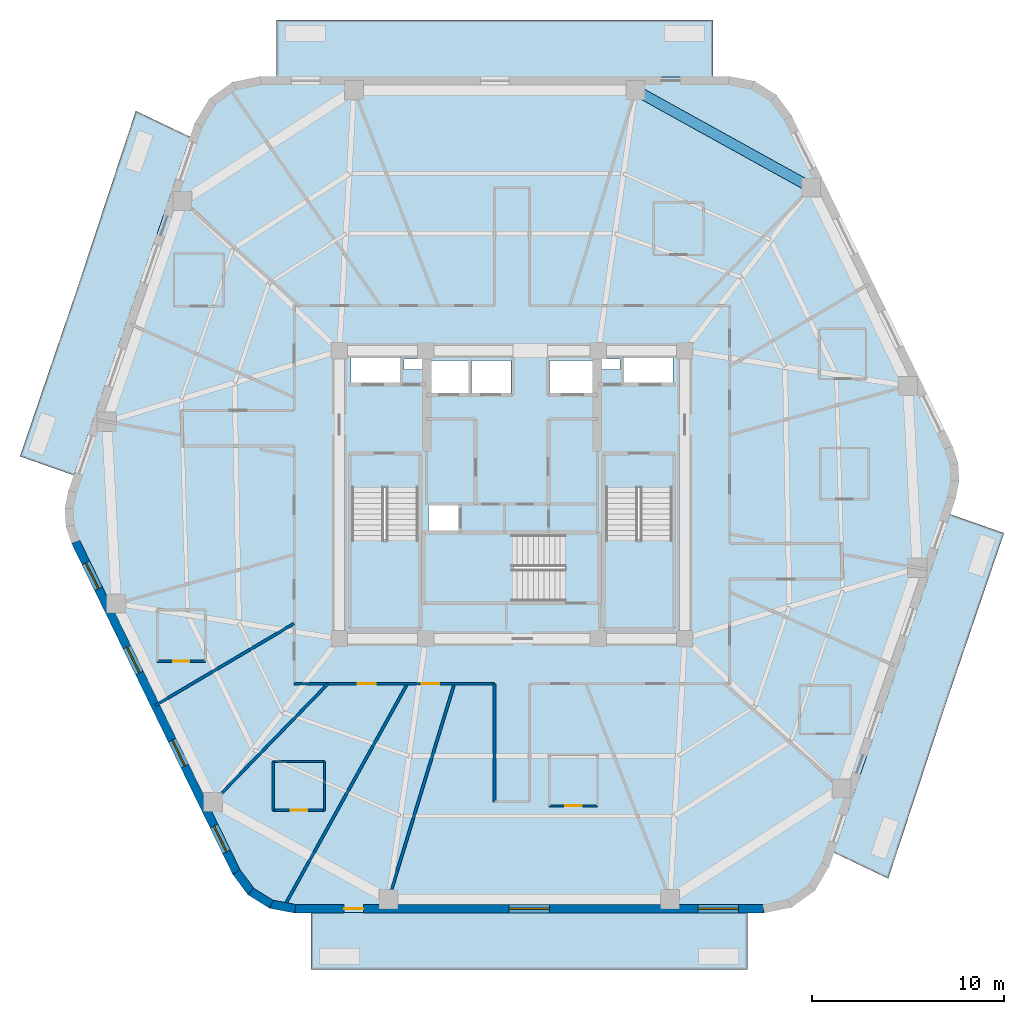
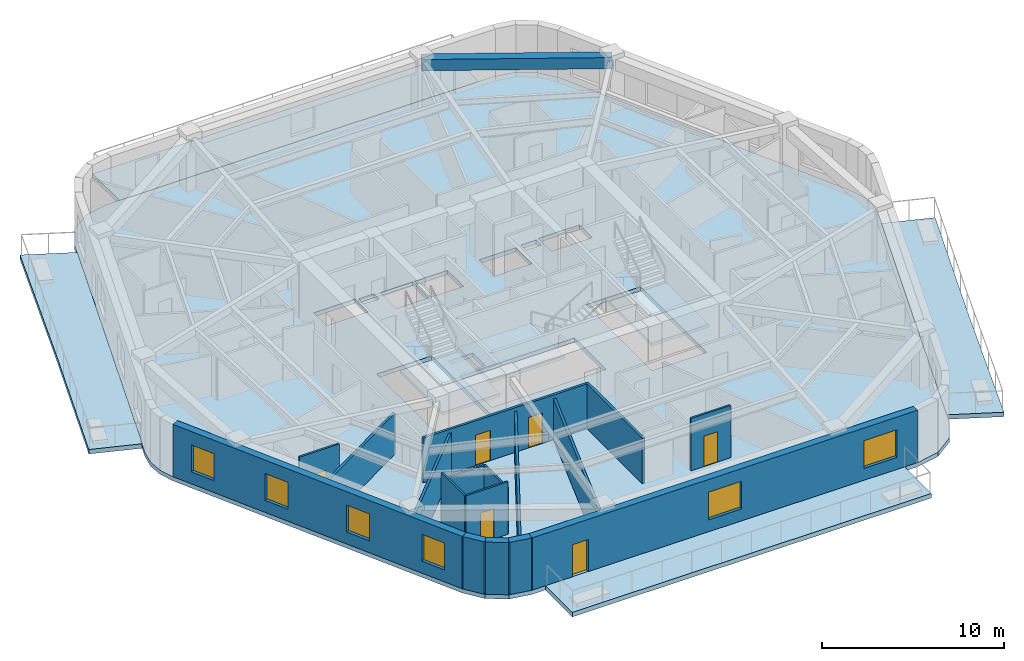
# One storey, part 2 of 9: 17 walls, 8 slabs, 6 doors, 6 windows, 1 beam, 12 openings, 3 elements without a shape of their own.
"""IFC4 building model written with IfcOpenShell, lengths in metres."""

import ifcopenshell
import ifcopenshell.guid

model = None  # the IFC model being written
_history = None  # IfcOwnerHistory: only IFC2X3 demands one
_inside = {}  # id of a spatial element -> (the spatial element, [elements in it])
_under = {}  # id of a project, library or spatial element -> (it, [spatial elements below it])
_declared = {}  # id of a project -> (the project, [libraries it declares])
_typed = {}  # id of a type object -> (the type object, [elements of that type])
_made_of = {}  # id of a material, layer set ... -> (it, [elements and type objects made of it])


def new_model(schema):
    """Start an empty IFC model of exactly this schema.

    Asked for "IFC4X3", IfcOpenShell would pick the latest addendum, in which some entities
    have other attributes; the version numbers below select the first issue.
    IFC2X3 requires an IfcOwnerHistory on every rooted entity: one is made here for all.
    """
    global model, _history
    if schema == "IFC4X3":
        model = ifcopenshell.file(schema_version=(4, 3, 0, 0))
    else:
        model = ifcopenshell.file(schema=schema)
    _inside.clear()
    _under.clear()
    _declared.clear()
    _typed.clear()
    _made_of.clear()
    _history = None
    if model.schema == "IFC2X3":
        org = make("IfcOrganization", Name="unknown")
        user = make(
            "IfcPersonAndOrganization",
            ThePerson=make("IfcPerson", FamilyName="unknown"),
            TheOrganization=org,
        )
        app = make(
            "IfcApplication",
            ApplicationDeveloper=org,
            Version="unknown",
            ApplicationFullName="unknown",
            ApplicationIdentifier="unknown",
        )
        _history = make(
            "IfcOwnerHistory",
            OwningUser=user,
            OwningApplication=app,
            ChangeAction="ADDED",
            CreationDate=0,
        )
    return model


def make(cls, **values):
    """One entity of the class cls with the attributes given. An attribute that is None is left unset."""
    return model.create_entity(
        cls, **{name: value for name, value in values.items() if value is not None}
    )


def rooted(cls, **values):
    """An entity with a GlobalId (a new one), such as an element, a storey or a relation."""
    return make(cls, GlobalId=ifcopenshell.guid.new(), OwnerHistory=_history, **values)


def si_unit(unit_type, name, prefix=None):
    """IfcSIUnit, for example si_unit("LENGTHUNIT", "METRE", prefix="MILLI")."""
    return make("IfcSIUnit", UnitType=unit_type, Prefix=prefix, Name=name)


def assignment(units):
    """IfcUnitAssignment: the units of a project."""
    return None if units is None else make("IfcUnitAssignment", Units=units)


def point(xyz):
    """IfcCartesianPoint."""
    return None if xyz is None else make("IfcCartesianPoint", Coordinates=xyz)


def direction(xyz):
    """IfcDirection."""
    return None if xyz is None else make("IfcDirection", DirectionRatios=xyz)


def frame(location, z_axis=None, x_axis=None):
    """IfcAxis2Placement3D, a coordinate frame: its origin and axes. An axis left out is left unset."""
    return make(
        "IfcAxis2Placement3D",
        Location=point(location),
        Axis=direction(z_axis),
        RefDirection=direction(x_axis),
    )


def frame_2d(location, x_axis=None):
    """IfcAxis2Placement2D, a coordinate frame in the plane: its origin and x axis."""
    return make(
        "IfcAxis2Placement2D", Location=point(location), RefDirection=direction(x_axis)
    )


def origin():
    """The frame at (0, 0, 0) with its axes left unset."""
    return frame((0.0, 0.0, 0.0))


def origin_2d():
    """The frame at (0, 0) in the plane with its x axis left unset."""
    return frame_2d((0.0, 0.0))


def place(relative_to, where):
    """IfcLocalPlacement: puts the frame where relative to a parent placement (None: the world)."""
    return make(
        "IfcLocalPlacement", PlacementRelTo=relative_to, RelativePlacement=where
    )


def context(
    kind, dimensions, precision=None, world=None, true_north=None, identifier=None
):
    """IfcGeometricRepresentationContext, for example the 3D "Model" context."""
    return make(
        "IfcGeometricRepresentationContext",
        ContextIdentifier=identifier,
        ContextType=kind,
        CoordinateSpaceDimension=dimensions,
        Precision=precision,
        WorldCoordinateSystem=world,
        TrueNorth=true_north,
    )


def subcontext(parent, identifier, kind, view, scale=None):
    """IfcGeometricRepresentationSubContext, for example "Body" below "Model"."""
    return make(
        "IfcGeometricRepresentationSubContext",
        ContextIdentifier=identifier,
        ContextType=kind,
        ParentContext=parent,
        TargetScale=scale,
        TargetView=view,
    )


def project(units=None, contexts=None):
    """IfcProject with its units and contexts."""
    return rooted(
        "IfcProject",
        Name="project",
        RepresentationContexts=contexts,
        UnitsInContext=assignment(units),
    )


def spatial(cls, under=None, at=None, **own):
    """A site, building, storey or space (cls), placed at a placement, below another one or the project."""
    s = rooted(cls, ObjectPlacement=at, **own)
    if under is not None:
        _under.setdefault(under.id(), (under, []))[1].append(s)
    return s


def polyline(points):
    """IfcPolyline through the points."""
    return make("IfcPolyline", Points=[point(p) for p in points])


def profile(cls, at=None, kind="AREA", **sizes):
    """A parametric profile (cls). Its sizes go by their IFC names, for example OverallWidth=200.0."""
    return make(cls, ProfileType=kind, Position=at, **sizes)


def rectangle(**sizes):
    """IfcRectangleProfileDef."""
    return profile("IfcRectangleProfileDef", **sizes)


def outline(outer, holes=None, kind="AREA"):
    """IfcArbitraryClosedProfileDef: a profile drawn as a closed curve; with holes, ...WithVoids."""
    if holes is None:
        return make("IfcArbitraryClosedProfileDef", ProfileType=kind, OuterCurve=outer)
    return make(
        "IfcArbitraryProfileDefWithVoids",
        ProfileType=kind,
        OuterCurve=outer,
        InnerCurves=holes,
    )


def extrude(swept, where, along, depth):
    """IfcExtrudedAreaSolid: the profile swept, set in the frame where, extruded along a direction by depth."""
    return make(
        "IfcExtrudedAreaSolid",
        SweptArea=swept,
        Position=where,
        ExtrudedDirection=direction(along),
        Depth=depth,
    )


def shape(context_of_items, identifier, shape_type, items):
    """IfcShapeRepresentation: the items that make up one representation, for example the "Body"."""
    return make(
        "IfcShapeRepresentation",
        ContextOfItems=context_of_items,
        RepresentationIdentifier=identifier,
        RepresentationType=shape_type,
        Items=items,
    )


def material(Name=None, Category=None):
    """IfcMaterial."""
    return make("IfcMaterial", Name=Name, Category=Category)


def layer(
    of_material, thickness, ventilated=None, Name=None, Category=None, Priority=None
):
    """IfcMaterialLayer: one layer of a wall or slab, of a material (None: an air gap)."""
    return make(
        "IfcMaterialLayer",
        Material=of_material,
        LayerThickness=thickness,
        IsVentilated=ventilated,
        Name=Name,
        Category=Category,
        Priority=Priority,
    )


def layer_set(layers, Name=None):
    """IfcMaterialLayerSet."""
    return make("IfcMaterialLayerSet", MaterialLayers=layers, LayerSetName=Name)


def material_profile(
    of_material, cross_section, Name=None, Category=None, Priority=None
):
    """IfcMaterialProfile: a cross section and its material."""
    return make(
        "IfcMaterialProfile",
        Name=Name,
        Material=of_material,
        Profile=cross_section,
        Priority=Priority,
        Category=Category,
    )


def profile_set(profiles, Name=None, composite=None):
    """IfcMaterialProfileSet."""
    return make(
        "IfcMaterialProfileSet",
        Name=Name,
        MaterialProfiles=profiles,
        CompositeProfile=composite,
    )


def made_of(thing, what):
    """Note that an element or type object is made of a material, layer set ...; save() writes the relation."""
    if what is not None:
        _made_of.setdefault(what.id(), (what, []))[1].append(thing)
    return thing


def type_object(cls, material=None, **own):
    """A type object (cls), such as IfcWallType, which elements share."""
    return made_of(rooted(cls, **own), material)


def element(
    cls,
    number,
    at=None,
    inside=None,
    cuts=None,
    type_object=None,
    material=None,
    context=None,
    identifier="Body",
    shape_type=None,
    held_by="IfcProductDefinitionShape",
    body=None,
    shapes=None,
    **own,
):
    """One element of the class cls, such as IfcWall. Its Tag is "e" and its number.

    at: its placement. inside: the storey or other place that contains it. cuts: it is an
    opening in that element (IfcRelVoidsElement). A single representation is given by context,
    identifier, shape_type and body (its items); several are given by shapes. held_by: the class
    of the entity that holds the representations. save() writes the other relations.
    """
    e = rooted(cls, Tag="e%d" % number, ObjectPlacement=at, **own)
    if body is not None:
        shapes = [shape(context, identifier, shape_type, body)]
    if shapes is not None:
        e.Representation = make(held_by, Representations=shapes)
    if inside is not None:
        _inside.setdefault(inside.id(), (inside, []))[1].append(e)
    if cuts is not None:
        rooted(
            "IfcRelVoidsElement", RelatingBuildingElement=cuts, RelatedOpeningElement=e
        )
    if type_object is not None:
        _typed.setdefault(type_object.id(), (type_object, []))[1].append(e)
    return made_of(e, material)


def fill(opening, filler):
    """IfcRelFillsElement: the door or window that sits in an opening."""
    return rooted(
        "IfcRelFillsElement",
        RelatingOpeningElement=opening,
        RelatedBuildingElement=filler,
    )


def aggregate(whole, parts):
    """IfcRelAggregates: a whole, such as a stair, and the parts it consists of."""
    return rooted("IfcRelAggregates", RelatingObject=whole, RelatedObjects=parts)


def save(model, path):
    """Write the relations noted so far, then the file.

    IfcRelAggregates (storeys below a building ...), IfcRelContainedInSpatialStructure (elements
    in a storey), IfcRelDefinesByType, IfcRelAssociatesMaterial and IfcRelDeclares: one each for
    every whole, place, type object, material and project.
    """
    for whole, parts in _under.values():
        aggregate(whole, parts)
    for where, things in _inside.values():
        rooted(
            "IfcRelContainedInSpatialStructure",
            RelatedElements=things,
            RelatingStructure=where,
        )
    for kind, things in _typed.values():
        rooted("IfcRelDefinesByType", RelatedObjects=things, RelatingType=kind)
    for what, things in _made_of.values():
        rooted("IfcRelAssociatesMaterial", RelatedObjects=things, RelatingMaterial=what)
    for by, libraries in _declared.values():
        rooted("IfcRelDeclares", RelatingContext=by, RelatedDefinitions=libraries)
    model.write(path)


model = new_model("IFC4")

# Units and contexts
model_context = context("Model", 3, precision=1e-05, world=origin(), true_north=direction((0.0, 1.0)))
body_context = subcontext(model_context, "Body", "Model", "MODEL_VIEW")
ifc_project = project(units=[si_unit("LENGTHUNIT", "METRE"), si_unit("AREAUNIT", "SQUARE_METRE"), si_unit("VOLUMEUNIT", "CUBIC_METRE"), si_unit("PLANEANGLEUNIT", "RADIAN"), si_unit("MASSUNIT", "GRAM", prefix="KILO")], contexts=[model_context])

# Site, building, storey
site_placement = place(None, origin())
site = spatial("IfcSite", under=ifc_project, at=site_placement, CompositionType="ELEMENT")
building_placement = place(site_placement, origin())
building = spatial("IfcBuilding", under=site, at=building_placement, Name="Kilnhurst Terrace Hotel", CompositionType="ELEMENT")
storey_placement = place(building_placement, frame((0.0, 0.0, 225.5)))
storey = spatial("IfcBuildingStorey", under=building, at=storey_placement, Name="L56", CompositionType="ELEMENT", Elevation=225.5)

# Beam
ifc_material_1 = material(Name="Concrete C50/60", Category="concrete")
ifc_material_profile = material_profile(ifc_material_1, rectangle(XDim=0.550048828125, YDim=0.75, at=origin_2d()), Name="RC550X750")
ifc_profile_set = profile_set([ifc_material_profile], Name="Concrete C50/60")
beam_type = type_object("IfcBeamType", Name="BM-SPN-550X750", PredefinedType="SPANDREL", material=ifc_profile_set)
beam_placement = place(storey_placement, frame((15.5869140625, 16.012939453125, 3.125), z_axis=(-0.874970333121, 0.484176534085, 0.0), x_axis=(-0.484176534085, -0.874970333121, 0.0)))
element("IfcBeam", 1, at=beam_placement, inside=storey, type_object=beam_type, Name="L56 Perimeter Spandrel Beam 6", PredefinedType="SPANDREL", context=body_context, shape_type="SweptSolid", body=[
    extrude(rectangle(XDim=0.550048828125, YDim=0.75, at=origin_2d()), origin(), (0.0, 0.0, 1.0), 10.465576171875),
])

# Slabs
ifc_layer_1 = layer(ifc_material_1, 0.300048828125, Name="Concrete C50/60")
ifc_layer_set_1 = layer_set([ifc_layer_1], Name="Concrete C50/60")
slab_type_1 = type_object("IfcSlabType", Name="SLB-BAL-300", PredefinedType="FLOOR", material=ifc_layer_set_1)
slab_1_placement = place(storey_placement, frame((0.0, 0.0, -0.300048828125)))
element("IfcSlab", 2, at=slab_1_placement, inside=storey, type_object=slab_type_1, Name="L56 Cantilevered Planted Terrace Slab BAL-L1A", PredefinedType="FLOOR", context=body_context, shape_type="SweptSolid", body=[
    extrude(outline(polyline([(-10.46875, -21.780029296875), (12.27490234375, -21.780029296875), (12.27490234375, -24.739990234375), (-10.46875, -24.739990234375), (-10.46875, -21.780029296875)])), origin(), (0.0, 0.0, 1.0), 0.300048828125),
])
slab_2_placement = place(storey_placement, frame((0.0, 0.0, -0.300048828125)))
element("IfcSlab", 3, at=slab_2_placement, inside=storey, type_object=slab_type_1, Name="L56 Cantilevered Planted Terrace Slab BAL-L1B", PredefinedType="FLOOR", context=body_context, shape_type="SweptSolid", body=[
    extrude(outline(polyline([(19.604736328125, -20.0), (16.75830078125, -18.64208984375), (22.8193359375, -1.010498046875), (25.638916015625, -2.0), (22.650146484375, -10.76171875), (19.604736328125, -20.0)])), origin(), (0.0, 0.0, 1.0), 0.300048828125),
])
slab_3_placement = place(storey_placement, frame((0.0, 0.0, -0.300048828125)))
element("IfcSlab", 4, at=slab_3_placement, inside=storey, type_object=slab_type_1, Name="L56 Cantilevered Planted Terrace Slab BAL-L2A", PredefinedType="FLOOR", context=body_context, shape_type="SweptSolid", body=[
    extrude(outline(polyline([(-12.27490234375, 21.780029296875), (-12.27490234375, 24.739990234375), (10.46875, 24.739990234375), (10.46875, 21.780029296875), (-12.27490234375, 21.780029296875)])), origin(), (0.0, 0.0, 1.0), 0.300048828125),
])
slab_4_placement = place(storey_placement, frame((0.0, 0.0, -0.300048828125)))
element("IfcSlab", 5, at=slab_4_placement, inside=storey, type_object=slab_type_1, Name="L56 Cantilevered Planted Terrace Slab BAL-L2B", PredefinedType="FLOOR", context=body_context, shape_type="SweptSolid", body=[
    extrude(outline(polyline([(-19.604736328125, 20.0), (-16.75830078125, 18.64208984375), (-22.8193359375, 1.010498046875), (-25.638916015625, 2.0), (-22.650146484375, 10.76171875), (-19.604736328125, 20.0)])), origin(), (0.0, 0.0, 1.0), 0.300048828125),
])
ifc_layer_2 = layer(ifc_material_1, 0.280029296875, Name="Concrete C50/60")
ifc_layer_set_2 = layer_set([ifc_layer_2], Name="Concrete C50/60")
slab_type_2 = type_object("IfcSlabType", Name="SLB-FLR-280", PredefinedType="FLOOR", material=ifc_layer_set_2)
slab_5_placement = place(storey_placement, frame((0.0, 0.0, -0.280029296875)))
element("IfcSlab", 6, at=slab_5_placement, inside=storey, type_object=slab_type_2, Name="L56 Structural Floor Slab", PredefinedType="FLOOR", context=body_context, shape_type="SweptSolid", body=[
    extrude(outline(polyline([(-14.555419921875, -19.77587890625), (-13.759765625, -20.845947265625), (-12.629150390625, -21.552978515625), (-11.318603515625, -21.800048828125), (13.124755859375, -21.800048828125), (14.5703125, -21.4970703125), (15.772705078125, -20.638916015625), (16.529296875, -19.370361328125), (23.1162109375, -0.208740234375), (23.302978515625, 0.710693359375), (23.24560546875, 1.6474609375), (22.948486328125, 2.537353515625), (14.555419921875, 19.77587890625), (13.759765625, 20.845947265625), (12.629150390625, 21.552978515625), (11.318603515625, 21.800048828125), (-13.124755859375, 21.800048828125), (-14.5703125, 21.4970703125), (-15.772705078125, 20.638916015625), (-16.529296875, 19.370361328125), (-23.1162109375, 0.208740234375), (-23.302978515625, -0.710693359375), (-23.24560546875, -1.6474609375), (-22.948486328125, -2.537353515625), (-14.555419921875, -19.77587890625)]), holes=[polyline([(-8.35009765625, 0.35498046875), (-4.8798828125, 0.35498046875), (-4.8798828125, -6.89990234375), (-8.35009765625, -6.89990234375), (-8.35009765625, 0.35498046875)]), polyline([(-2.800048828125, -1.89990234375), (-4.35009765625, -1.89990234375), (-4.35009765625, -0.550048828125), (-2.800048828125, -0.550048828125), (-2.800048828125, -1.89990234375)]), polyline([(-2.25, 5.25), (-4.300048828125, 5.25), (-4.300048828125, 7.0), (-2.25, 7.0), (-2.25, 5.25)]), polyline([(-2.1201171875, 5.25), (-2.1201171875, 7.0), (-0.050048828125, 7.0), (-0.050048828125, 5.25), (-2.1201171875, 5.25)]), polyline([(-8.39990234375, 5.75), (-8.39990234375, 7.14990234375), (-5.800048828125, 7.14990234375), (-5.800048828125, 5.75), (-8.39990234375, 5.75)]), polyline([(-4.659912109375, 6.52001953125), (-5.6201171875, 6.52001953125), (-5.6201171875, 7.080078125), (-4.659912109375, 7.080078125), (-4.659912109375, 6.52001953125)]), polyline([(2.7548828125, -5.550048828125), (-4.5, -5.550048828125), (-4.5, -2.080078125), (2.7548828125, -2.080078125), (2.7548828125, -5.550048828125)]), polyline([(8.35009765625, 0.35498046875), (8.35009765625, -6.89990234375), (4.8798828125, -6.89990234375), (4.8798828125, 0.35498046875), (8.35009765625, 0.35498046875)]), polyline([(4.300048828125, 5.25), (1.949951171875, 5.25), (1.949951171875, 7.0), (4.300048828125, 7.0), (4.300048828125, 5.25)]), polyline([(5.800048828125, 5.75), (5.800048828125, 7.14990234375), (8.39990234375, 7.14990234375), (8.39990234375, 5.75), (5.800048828125, 5.75)]), polyline([(4.659912109375, 6.52001953125), (4.659912109375, 7.080078125), (5.6201171875, 7.080078125), (5.6201171875, 6.52001953125), (4.659912109375, 6.52001953125)])]), origin(), (0.0, 0.0, 1.0), 0.280029296875),
])

# Stair, slab
stair_type = type_object("IfcStairType", Name="STR-CORE-1660", PredefinedType="HALF_TURN_STAIR", material=ifc_material_1)
stair_1_placement = place(storey_placement, origin())
stair_1 = element("IfcStair", 7, at=stair_1_placement, inside=storey, type_object=stair_type, Name="L56 ST-1", PredefinedType="HALF_TURN_STAIR")
ifc_layer_3 = layer(ifc_material_1, 0.199951171875, Name="Concrete C50/60")
ifc_layer_set_3 = layer_set([ifc_layer_3], Name="Concrete C50/60")
slab_type_3 = type_object("IfcSlabType", Name="SLB-ST-LND-200", PredefinedType="LANDING", material=ifc_layer_set_3)
slab_6_placement = place(storey_placement, frame((0.0, 0.0, 1.699951171875)))
slab_6 = element("IfcSlab", 8, at=slab_6_placement, type_object=slab_type_3, Name="ST-1 landing 1", PredefinedType="LANDING", context=body_context, shape_type="SweptSolid", body=[
    extrude(outline(polyline([(-8.429931640625, -2.330078125), (-4.800048828125, -2.330078125), (-4.800048828125, -6.97998046875), (-8.429931640625, -6.97998046875), (-8.429931640625, -2.330078125)])), origin(), (0.0, 0.0, 1.0), 0.199951171875),
])
aggregate(stair_1, [slab_6])

stair_2_placement = place(storey_placement, origin())
stair_2 = element("IfcStair", 9, at=stair_2_placement, inside=storey, type_object=stair_type, Name="L56 ST-2", PredefinedType="HALF_TURN_STAIR")
slab_7_placement = place(storey_placement, frame((0.0, 0.0, 1.699951171875)))
slab_7 = element("IfcSlab", 10, at=slab_7_placement, type_object=slab_type_3, Name="ST-2 landing 1", PredefinedType="LANDING", context=body_context, shape_type="SweptSolid", body=[
    extrude(outline(polyline([(4.800048828125, -2.330078125), (8.429931640625, -2.330078125), (8.429931640625, -6.97998046875), (4.800048828125, -6.97998046875), (4.800048828125, -2.330078125)])), origin(), (0.0, 0.0, 1.0), 0.199951171875),
])
aggregate(stair_2, [slab_7])

stair_3_placement = place(storey_placement, origin())
stair_3 = element("IfcStair", 11, at=stair_3_placement, inside=storey, type_object=stair_type, Name="L56 ST-3", PredefinedType="HALF_TURN_STAIR")
slab_8_placement = place(storey_placement, frame((0.0, 0.0, 1.699951171875)))
slab_8 = element("IfcSlab", 12, at=slab_8_placement, type_object=slab_type_3, Name="ST-3 landing 1", PredefinedType="LANDING", context=body_context, shape_type="SweptSolid", body=[
    extrude(outline(polyline([(0.070068359375, -2.0), (0.070068359375, -5.6298828125), (-4.580078125, -5.6298828125), (-4.580078125, -2.0), (0.070068359375, -2.0)])), origin(), (0.0, 0.0, 1.0), 0.199951171875),
])
aggregate(stair_3, [slab_8])

# Walls
ifc_material_2 = material(Name="Precast concrete C40/50", Category="concrete")
ifc_layer_4 = layer(ifc_material_2, 0.449951171875, Name="Precast concrete C40/50")
ifc_layer_set_4 = layer_set([ifc_layer_4], Name="Precast concrete C40/50")
wall_type_1 = type_object("IfcWallType", Name="WL-BRK-450", PredefinedType="SOLIDWALL", material=ifc_layer_set_4)
wall_1_placement = place(storey_placement, frame((-14.3623046875, -19.658447265625, 0.0), z_axis=(0.0, 0.0, 1.0), x_axis=(0.596642462792, -0.80250717853, 0.0)))
element("IfcWall", 13, at=wall_1_placement, inside=storey, type_object=wall_type_1, Name="L56 Rounded Corner Brick Wall C1.1", PredefinedType="SOLIDWALL", context=body_context, shape_type="SweptSolid", body=[
    extrude(rectangle(XDim=1.27001953125, YDim=0.449951171875, at=frame_2d((0.635009765625, 0.0))), origin(), (0.0, 0.0, 1.0), 3.5),
])
wall_2_placement = place(storey_placement, frame((-13.6044921875, -20.677734375, 0.0), z_axis=(0.0, 0.0, 1.0), x_axis=(0.847910404124, -0.53013955387, 0.0)))
element("IfcWall", 14, at=wall_2_placement, inside=storey, type_object=wall_type_1, Name="L56 Rounded Corner Brick Wall C1.2", PredefinedType="SOLIDWALL", context=body_context, shape_type="SweptSolid", body=[
    extrude(rectangle(XDim=1.24853515625, YDim=0.449951171875, at=frame_2d((0.624267578125, 0.0))), origin(), (0.0, 0.0, 1.0), 3.5),
])
wall_3_placement = place(storey_placement, frame((-12.5458984375, -21.339599609375, 0.0), z_axis=(0.0, 0.0, 1.0), x_axis=(0.982686750835, -0.18527479519, 0.0)))
element("IfcWall", 15, at=wall_3_placement, inside=storey, type_object=wall_type_1, Name="L56 Rounded Corner Brick Wall C1.3", PredefinedType="SOLIDWALL", context=body_context, shape_type="SweptSolid", body=[
    extrude(rectangle(XDim=1.270263671875, YDim=0.449951171875, at=frame_2d((0.63525390625, 0.0))), origin(), (0.0, 0.0, 1.0), 3.5),
])

# Wall, openings, door, windows
wall_4_placement = place(storey_placement, frame((-11.297607421875, -21.574951171875, 0.0), z_axis=(0.0, 0.0, 1.0), x_axis=(1.0, 0.0, 0.0)))
wall_4 = element("IfcWall", 16, at=wall_4_placement, inside=storey, type_object=wall_type_1, Name="L56 Exterior Brick Facade Wall F1", PredefinedType="SOLIDWALL", context=body_context, shape_type="SweptSolid", body=[
    extrude(rectangle(XDim=24.399169921875, YDim=0.449951171875, at=frame_2d((12.19970703125, 0.0))), origin(), (0.0, 0.0, 1.0), 3.5),
])
opening_1_placement = place(wall_4_placement, frame((2.550048828125, 0.0, 0.0)))
opening_1 = element("IfcOpeningElement", 17, at=opening_1_placement, cuts=wall_4, Name="Opening BD-1000", PredefinedType="OPENING", context=body_context, shape_type="SweptSolid", body=[
    extrude(rectangle(XDim=1.0, YDim=2.14990234375, at=frame_2d((0.5, 1.074951171875))), frame((0.0, 0.23486328125, 0.0), z_axis=(0.0, -1.0, 0.0), x_axis=(1.0, 0.0, 0.0)), (0.0, 0.0, 1.0), 0.469970703125),
])
opening_2_placement = place(wall_4_placement, frame((11.15087890625, 0.0, 0.800048828125)))
opening_2 = element("IfcOpeningElement", 18, at=opening_2_placement, cuts=wall_4, Name="Opening W-04", PredefinedType="OPENING", context=body_context, shape_type="SweptSolid", body=[
    extrude(rectangle(XDim=2.10009765625, YDim=1.85009765625, at=frame_2d((1.050048828125, 0.925048828125))), frame((0.0, 0.23486328125, 0.0), z_axis=(0.0, -1.0, 0.0), x_axis=(1.0, 0.0, 0.0)), (0.0, 0.0, 1.0), 0.469970703125),
])
opening_3_placement = place(wall_4_placement, frame((20.99609375, 0.0, 0.800048828125)))
opening_3 = element("IfcOpeningElement", 19, at=opening_3_placement, cuts=wall_4, Name="Opening W-04", PredefinedType="OPENING", context=body_context, shape_type="SweptSolid", body=[
    extrude(rectangle(XDim=2.10009765625, YDim=1.85009765625, at=frame_2d((1.050048828125, 0.925048828125))), frame((0.0, 0.23486328125, 0.0), z_axis=(0.0, -1.0, 0.0), x_axis=(1.0, 0.0, 0.0)), (0.0, 0.0, 1.0), 0.469970703125),
])
ifc_material_3 = material(Name="Thermally Broken Bronze Aluminium Alloy 6063-T6 and Laminated Glass", Category="aluminium")
door_type_1 = type_object("IfcDoorType", Name="DR-EXT-BAL-1000", OperationType="NOTDEFINED", PredefinedType="DOOR", material=ifc_material_3)
door_1_placement = place(opening_1_placement, origin())
door_1 = element("IfcDoor", 20, at=door_1_placement, inside=storey, type_object=door_type_1, Name="L56 Planted Balcony Door BAL-L1A", OperationType="SINGLE_SWING_LEFT", OverallHeight=2.14990234375, OverallWidth=1.0, PredefinedType="DOOR", context=body_context, shape_type="SweptSolid", body=[
    extrude(rectangle(XDim=1.0, YDim=2.14990234375, at=frame_2d((0.5, 1.074951171875))), frame((0.0, 0.02490234375, 0.0), z_axis=(0.0, -1.0, 0.0), x_axis=(1.0, 0.0, 0.0)), (0.0, 0.0, 1.0), 0.050048828125),
])
fill(opening_1, door_1)
ifc_material_4 = material(Name="Thermally Broken Bronze Aluminium Alloy 6063-T6 and Low-E Glass", Category="aluminium")
window_type_1 = type_object("IfcWindowType", Name="WIN-2100X1850", PartitioningType="SINGLE_PANEL", PredefinedType="WINDOW", material=ifc_material_4)
window_1_placement = place(opening_2_placement, origin())
window_1 = element("IfcWindow", 21, at=window_1_placement, inside=storey, type_object=window_type_1, Name="L56 Deep-Set Masonry Window F1.1", OverallHeight=1.85009765625, OverallWidth=2.10009765625, PartitioningType="SINGLE_PANEL", PredefinedType="WINDOW", context=body_context, shape_type="SweptSolid", body=[
    extrude(rectangle(XDim=2.10009765625, YDim=1.85009765625, at=frame_2d((1.050048828125, 0.925048828125))), frame((0.0, 0.030029296875, 0.0), z_axis=(0.0, -1.0, 0.0), x_axis=(1.0, 0.0, 0.0)), (0.0, 0.0, 1.0), 0.06005859375),
])
fill(opening_2, window_1)
window_2_placement = place(opening_3_placement, origin())
window_2 = element("IfcWindow", 22, at=window_2_placement, inside=storey, type_object=window_type_1, Name="L56 Deep-Set Masonry Window F1.2", OverallHeight=1.85009765625, OverallWidth=2.10009765625, PartitioningType="SINGLE_PANEL", PredefinedType="WINDOW", context=body_context, shape_type="SweptSolid", body=[
    extrude(rectangle(XDim=2.10009765625, YDim=1.85009765625, at=frame_2d((1.050048828125, 0.925048828125))), frame((0.0, 0.030029296875, 0.0), z_axis=(0.0, -1.0, 0.0), x_axis=(1.0, 0.0, 0.0)), (0.0, 0.0, 1.0), 0.06005859375),
])
fill(opening_3, window_2)

# Wall, openings, windows
wall_5_placement = place(storey_placement, frame((-22.73974609375, -2.4521484375, 0.0), z_axis=(0.0, 0.0, 1.0), x_axis=(0.437753424814, -0.899095066755, 0.0)))
wall_5 = element("IfcWall", 23, at=wall_5_placement, inside=storey, type_object=wall_type_1, Name="L56 Exterior Brick Facade Wall F6", PredefinedType="SOLIDWALL", context=body_context, shape_type="SweptSolid", body=[
    extrude(rectangle(XDim=19.137451171875, YDim=0.449951171875, at=frame_2d((9.56884765625, 0.0))), origin(), (0.0, 0.0, 1.0), 3.5),
])
opening_4_placement = place(wall_5_placement, frame((1.216064453125, 0.0, 0.800048828125)))
opening_4 = element("IfcOpeningElement", 24, at=opening_4_placement, cuts=wall_5, Name="Opening W-02", PredefinedType="OPENING", context=body_context, shape_type="SweptSolid", body=[
    extrude(rectangle(XDim=1.5, YDim=1.800048828125, at=frame_2d((0.75, 0.89990234375))), frame((0.0, 0.23486328125, 0.0), z_axis=(0.0, -1.0, 0.0), x_axis=(1.0, 0.0, 0.0)), (0.0, 0.0, 1.0), 0.469970703125),
])
opening_5_placement = place(wall_5_placement, frame((6.10498046875, 0.0, 0.800048828125)))
opening_5 = element("IfcOpeningElement", 25, at=opening_5_placement, cuts=wall_5, Name="Opening W-02", PredefinedType="OPENING", context=body_context, shape_type="SweptSolid", body=[
    extrude(rectangle(XDim=1.5, YDim=1.800048828125, at=frame_2d((0.75, 0.89990234375))), frame((0.0, 0.23486328125, 0.0), z_axis=(0.0, -1.0, 0.0), x_axis=(1.0, 0.0, 0.0)), (0.0, 0.0, 1.0), 0.469970703125),
])
opening_6_placement = place(wall_5_placement, frame((11.4990234375, 0.0, 0.800048828125)))
opening_6 = element("IfcOpeningElement", 26, at=opening_6_placement, cuts=wall_5, Name="Opening W-02", PredefinedType="OPENING", context=body_context, shape_type="SweptSolid", body=[
    extrude(rectangle(XDim=1.5, YDim=1.800048828125, at=frame_2d((0.75, 0.89990234375))), frame((0.0, 0.23486328125, 0.0), z_axis=(0.0, -1.0, 0.0), x_axis=(1.0, 0.0, 0.0)), (0.0, 0.0, 1.0), 0.469970703125),
])
opening_7_placement = place(wall_5_placement, frame((16.472900390625, 0.0, 0.800048828125)))
opening_7 = element("IfcOpeningElement", 27, at=opening_7_placement, cuts=wall_5, Name="Opening W-02", PredefinedType="OPENING", context=body_context, shape_type="SweptSolid", body=[
    extrude(rectangle(XDim=1.5, YDim=1.800048828125, at=frame_2d((0.75, 0.89990234375))), frame((0.0, 0.23486328125, 0.0), z_axis=(0.0, -1.0, 0.0), x_axis=(1.0, 0.0, 0.0)), (0.0, 0.0, 1.0), 0.469970703125),
])
window_type_2 = type_object("IfcWindowType", Name="WIN-1500X1800", PartitioningType="SINGLE_PANEL", PredefinedType="WINDOW", material=ifc_material_4)
window_3_placement = place(opening_4_placement, origin())
window_3 = element("IfcWindow", 28, at=window_3_placement, inside=storey, type_object=window_type_2, Name="L56 Deep-Set Masonry Window F6.1", OverallHeight=1.800048828125, OverallWidth=1.5, PartitioningType="SINGLE_PANEL", PredefinedType="WINDOW", context=body_context, shape_type="SweptSolid", body=[
    extrude(rectangle(XDim=1.5, YDim=1.800048828125, at=frame_2d((0.75, 0.89990234375))), frame((0.0, 0.030029296875, 0.0), z_axis=(0.0, -1.0, 0.0), x_axis=(1.0, 0.0, 0.0)), (0.0, 0.0, 1.0), 0.06005859375),
])
fill(opening_4, window_3)
window_4_placement = place(opening_5_placement, origin())
window_4 = element("IfcWindow", 29, at=window_4_placement, inside=storey, type_object=window_type_2, Name="L56 Deep-Set Masonry Window F6.2", OverallHeight=1.800048828125, OverallWidth=1.5, PartitioningType="SINGLE_PANEL", PredefinedType="WINDOW", context=body_context, shape_type="SweptSolid", body=[
    extrude(rectangle(XDim=1.5, YDim=1.800048828125, at=frame_2d((0.75, 0.89990234375))), frame((0.0, 0.030029296875, 0.0), z_axis=(0.0, -1.0, 0.0), x_axis=(1.0, 0.0, 0.0)), (0.0, 0.0, 1.0), 0.06005859375),
])
fill(opening_5, window_4)
window_5_placement = place(opening_6_placement, origin())
window_5 = element("IfcWindow", 30, at=window_5_placement, inside=storey, type_object=window_type_2, Name="L56 Deep-Set Masonry Window F6.3", OverallHeight=1.800048828125, OverallWidth=1.5, PartitioningType="SINGLE_PANEL", PredefinedType="WINDOW", context=body_context, shape_type="SweptSolid", body=[
    extrude(rectangle(XDim=1.5, YDim=1.800048828125, at=frame_2d((0.75, 0.89990234375))), frame((0.0, 0.030029296875, 0.0), z_axis=(0.0, -1.0, 0.0), x_axis=(1.0, 0.0, 0.0)), (0.0, 0.0, 1.0), 0.06005859375),
])
fill(opening_6, window_5)
window_6_placement = place(opening_7_placement, origin())
window_6 = element("IfcWindow", 31, at=window_6_placement, inside=storey, type_object=window_type_2, Name="L56 Deep-Set Masonry Window F6.4", OverallHeight=1.800048828125, OverallWidth=1.5, PartitioningType="SINGLE_PANEL", PredefinedType="WINDOW", context=body_context, shape_type="SweptSolid", body=[
    extrude(rectangle(XDim=1.5, YDim=1.800048828125, at=frame_2d((0.75, 0.89990234375))), frame((0.0, 0.030029296875, 0.0), z_axis=(0.0, -1.0, 0.0), x_axis=(1.0, 0.0, 0.0)), (0.0, 0.0, 1.0), 0.06005859375),
])
fill(opening_7, window_6)

# Wall
ifc_material_5 = material(Name="Acoustic Double-Gypsum Corridor Partition Assembly")
ifc_layer_5 = layer(ifc_material_5, 0.14990234375, Name="Acoustic Double-Gypsum Corridor Partition Assembly")
ifc_layer_set_5 = layer_set([ifc_layer_5], Name="Acoustic Double-Gypsum Corridor Partition Assembly")
wall_type_2 = type_object("IfcWallType", Name="WL-COR-150", PredefinedType="PARTITIONING", material=ifc_layer_set_5)
wall_6_placement = place(storey_placement, frame((-0.919921875, -16.0, 0.0), z_axis=(0.0, 0.0, 1.0), x_axis=(0.0, 1.0, 0.0)))
element("IfcWall", 32, at=wall_6_placement, inside=storey, type_object=wall_type_2, Name="L56 Interior Wall WL-L56-COR-19", PredefinedType="PARTITIONING", context=body_context, shape_type="SweptSolid", body=[
    extrude(rectangle(XDim=6.14990234375, YDim=0.14990234375, at=frame_2d((3.074951171875, 0.0))), origin(), (0.0, 0.0, 1.0), 3.026611328125),
])

# Wall, openings, doors
wall_7_placement = place(storey_placement, frame((-0.919921875, -9.85009765625, 0.0), z_axis=(0.0, 0.0, 1.0), x_axis=(-1.0, 0.0, 0.0)))
wall_7 = element("IfcWall", 33, at=wall_7_placement, inside=storey, type_object=wall_type_2, Name="L56 Interior Wall WL-L56-COR-20", PredefinedType="PARTITIONING", context=body_context, shape_type="SweptSolid", body=[
    extrude(rectangle(XDim=10.43017578125, YDim=0.14990234375, at=frame_2d((5.215087890625, 0.0))), origin(), (0.0, 0.0, 1.0), 2.989990234375),
])
opening_8_placement = place(wall_7_placement, frame((6.172119140625, 0.0, 0.0)))
opening_8 = element("IfcOpeningElement", 34, at=opening_8_placement, cuts=wall_7, Name="Opening D-60B", PredefinedType="OPENING", context=body_context, shape_type="SweptSolid", body=[
    extrude(rectangle(XDim=0.949951171875, YDim=2.030029296875, at=frame_2d((0.47509765625, 1.01513671875))), frame((0.0, 0.0849609375, 0.0), z_axis=(0.0, -1.0, 0.0), x_axis=(1.0, 0.0, 0.0)), (0.0, 0.0, 1.0), 0.169921875),
])
opening_9_placement = place(wall_7_placement, frame((2.875, 0.0, 0.0)))
opening_9 = element("IfcOpeningElement", 35, at=opening_9_placement, cuts=wall_7, Name="Opening D-60C", PredefinedType="OPENING", context=body_context, shape_type="SweptSolid", body=[
    extrude(rectangle(XDim=0.89990234375, YDim=2.030029296875, at=frame_2d((0.449951171875, 1.01513671875))), frame((0.0, 0.0849609375, 0.0), z_axis=(0.0, -1.0, 0.0), x_axis=(1.0, 0.0, 0.0)), (0.0, 0.0, 1.0), 0.169921875),
])
ifc_material_6 = material(Name="Painted Solid-Core Service Fire Door")
door_type_2 = type_object("IfcDoorType", Name="DR-FD60-900", OperationType="NOTDEFINED", PredefinedType="DOOR", material=ifc_material_6)
door_2_placement = place(opening_9_placement, origin())
door_2 = element("IfcDoor", 36, at=door_2_placement, inside=storey, type_object=door_type_2, Name="L56 Executive Work Office Door 13", OperationType="SINGLE_SWING_LEFT", OverallHeight=2.030029296875, OverallWidth=0.89990234375, PredefinedType="DOOR", context=body_context, shape_type="SweptSolid", body=[
    extrude(rectangle(XDim=0.89990234375, YDim=2.030029296875, at=frame_2d((0.449951171875, 1.01513671875))), frame((0.0, 0.02490234375, 0.0), z_axis=(0.0, -1.0, 0.0), x_axis=(1.0, 0.0, 0.0)), (0.0, 0.0, 1.0), 0.050048828125),
])
fill(opening_9, door_2)
ifc_material_7 = material(Name="Acoustic Walnut Veneer Solid-Core Fire Door")
door_type_3 = type_object("IfcDoorType", Name="DR-FD60-950", OperationType="NOTDEFINED", PredefinedType="DOOR", material=ifc_material_7)
door_3_placement = place(opening_8_placement, origin())
door_3 = element("IfcDoor", 37, at=door_3_placement, inside=storey, type_object=door_type_3, Name="L56 Guest Room Entry Door 12", OperationType="SINGLE_SWING_RIGHT", OverallHeight=2.030029296875, OverallWidth=0.949951171875, PredefinedType="DOOR", context=body_context, shape_type="SweptSolid", body=[
    extrude(rectangle(XDim=0.949951171875, YDim=2.030029296875, at=frame_2d((0.47509765625, 1.01513671875))), frame((0.0, 0.02490234375, 0.0), z_axis=(0.0, -1.0, 0.0), x_axis=(1.0, 0.0, 0.0)), (0.0, 0.0, 1.0), 0.050048828125),
])
fill(opening_8, door_3)

# Walls
ifc_material_8 = material(Name="STC-58 Acoustic Twin-Frame Guestroom Demising Partition")
ifc_layer_6 = layer(ifc_material_8, 0.14990234375, Name="STC-58 Acoustic Twin-Frame Guestroom Demising Partition")
ifc_layer_set_6 = layer_set([ifc_layer_6], Name="STC-58 Acoustic Twin-Frame Guestroom Demising Partition")
wall_type_3 = type_object("IfcWallType", Name="WL-DEM-150", PredefinedType="PARTITIONING", material=ifc_layer_set_6)
wall_8_placement = place(storey_placement, frame((-11.35009765625, -6.705078125, 0.0), z_axis=(0.0, 0.0, 1.0), x_axis=(-0.86097625004, -0.508645158108, 0.0)))
element("IfcWall", 38, at=wall_8_placement, inside=storey, type_object=wall_type_3, Name="L56 Interior Wall WL-L56-DEM-MID07-11-1", PredefinedType="PARTITIONING", context=body_context, shape_type="SweptSolid", body=[
    extrude(rectangle(XDim=8.406005859375, YDim=0.14990234375, at=frame_2d((4.203125, 0.0))), origin(), (0.0, 0.0, 1.0), 2.739990234375),
])
wall_9_placement = place(storey_placement, frame((-9.587890625, -9.85009765625, 0.0), z_axis=(0.0, 0.0, 1.0), x_axis=(-0.697519469595, -0.716565830567, 0.0)))
element("IfcWall", 39, at=wall_9_placement, inside=storey, type_object=wall_type_3, Name="L56 Interior Wall WL-L56-DEM-COL08-12-1", PredefinedType="PARTITIONING", context=body_context, shape_type="SweptSolid", body=[
    extrude(rectangle(XDim=9.12646484375, YDim=0.14990234375, at=frame_2d((4.563232421875, 0.0))), origin(), (0.0, 0.0, 1.0), 2.739990234375),
])
wall_10_placement = place(storey_placement, frame((-5.450927734375, -9.85009765625, 0.0), z_axis=(0.0, 0.0, 1.0), x_axis=(-0.484188830955, -0.87496352837, 0.0)))
element("IfcWall", 40, at=wall_10_placement, inside=storey, type_object=wall_type_3, Name="L56 Interior Wall WL-L56-DEM-MID08-13-1", PredefinedType="PARTITIONING", context=body_context, shape_type="SweptSolid", body=[
    extrude(rectangle(XDim=13.10693359375, YDim=0.14990234375, at=frame_2d((6.553466796875, 0.0))), origin(), (0.0, 0.0, 1.0), 2.739990234375),
])
wall_11_placement = place(storey_placement, frame((-3.00439453125, -9.85009765625, 0.0), z_axis=(0.0, 0.0, 1.0), x_axis=(-0.291775760688, -0.956486751333, 0.0)))
element("IfcWall", 41, at=wall_11_placement, inside=storey, type_object=wall_type_3, Name="L56 Interior Wall WL-L56-DEM-COL09-14-1", PredefinedType="PARTITIONING", context=body_context, shape_type="SweptSolid", body=[
    extrude(rectangle(XDim=12.25830078125, YDim=0.14990234375, at=frame_2d((6.129150390625, 0.0))), origin(), (0.0, 0.0, 1.0), 2.739990234375),
])

# Wall, opening, door
ifc_material_9 = material(Name="120 mm Moisture-Resistant Tile-Backed Bathroom Partition")
ifc_layer_7 = layer(ifc_material_9, 0.1201171875, Name="120 mm Moisture-Resistant Tile-Backed Bathroom Partition")
ifc_layer_set_7 = layer_set([ifc_layer_7], Name="120 mm Moisture-Resistant Tile-Backed Bathroom Partition")
wall_type_4 = type_object("IfcWallType", Name="WL-PART-120", PredefinedType="PARTITIONING", material=ifc_layer_set_7)
wall_12_placement = place(storey_placement, frame((-18.491943359375, -8.678955078125, 0.0), z_axis=(0.0, 0.0, 1.0), x_axis=(1.0, 0.0, 0.0)))
wall_12 = element("IfcWall", 42, at=wall_12_placement, inside=storey, type_object=wall_type_4, Name="L56 Interior Wall WL-L56-BTH-10-1", PredefinedType="PARTITIONING", context=body_context, shape_type="SweptSolid", body=[
    extrude(rectangle(XDim=2.52001953125, YDim=0.1201171875, at=frame_2d((1.260009765625, 0.0))), origin(), (0.0, 0.0, 1.0), 3.5),
])
opening_10_placement = place(wall_12_placement, frame((0.8349609375, 0.0, 0.0)))
opening_10 = element("IfcOpeningElement", 43, at=opening_10_placement, cuts=wall_12, Name="Opening D-08A", PredefinedType="OPENING", context=body_context, shape_type="SweptSolid", body=[
    extrude(rectangle(XDim=0.85009765625, YDim=2.030029296875, at=frame_2d((0.425048828125, 1.01513671875))), frame((0.0, 0.070068359375, 0.0), z_axis=(0.0, -1.0, 0.0), x_axis=(1.0, 0.0, 0.0)), (0.0, 0.0, 1.0), 0.14013671875),
])
ifc_material_10 = material(Name="Moisture-Resistant Lacquered En-suite Bathroom Door")
door_type_4 = type_object("IfcDoorType", Name="DR-INT-850", OperationType="NOTDEFINED", PredefinedType="DOOR", material=ifc_material_10)
door_4_placement = place(opening_10_placement, origin())
door_4 = element("IfcDoor", 44, at=door_4_placement, inside=storey, type_object=door_type_4, Name="L56 En-suite Bathroom Door 10", OperationType="SINGLE_SWING_LEFT", OverallHeight=2.030029296875, OverallWidth=0.85009765625, PredefinedType="DOOR", context=body_context, shape_type="SweptSolid", body=[
    extrude(rectangle(XDim=0.85009765625, YDim=2.030029296875, at=frame_2d((0.425048828125, 1.01513671875))), frame((0.0, 0.02490234375, 0.0), z_axis=(0.0, -1.0, 0.0), x_axis=(1.0, 0.0, 0.0)), (0.0, 0.0, 1.0), 0.050048828125),
])
fill(opening_10, door_4)

wall_13_placement = place(storey_placement, frame((-12.447021484375, -16.44189453125, 0.0), z_axis=(0.0, 0.0, 1.0), x_axis=(1.0, 0.0, 0.0)))
wall_13 = element("IfcWall", 45, at=wall_13_placement, inside=storey, type_object=wall_type_4, Name="L56 Interior Wall WL-L56-BTH-12-1", PredefinedType="PARTITIONING", context=body_context, shape_type="SweptSolid", body=[
    extrude(rectangle(XDim=2.679931640625, YDim=0.1201171875, at=frame_2d((1.33984375, 0.0))), origin(), (0.0, 0.0, 1.0), 3.5),
])
opening_11_placement = place(wall_13_placement, frame((0.9150390625, 0.0, 0.0)))
opening_11 = element("IfcOpeningElement", 46, at=opening_11_placement, cuts=wall_13, Name="Opening D-08A", PredefinedType="OPENING", context=body_context, shape_type="SweptSolid", body=[
    extrude(rectangle(XDim=0.85009765625, YDim=2.030029296875, at=frame_2d((0.425048828125, 1.01513671875))), frame((0.0, 0.070068359375, 0.0), z_axis=(0.0, -1.0, 0.0), x_axis=(1.0, 0.0, 0.0)), (0.0, 0.0, 1.0), 0.14013671875),
])
door_5_placement = place(opening_11_placement, origin())
door_5 = element("IfcDoor", 47, at=door_5_placement, inside=storey, type_object=door_type_4, Name="L56 En-suite Bathroom Door 12", OperationType="SINGLE_SWING_LEFT", OverallHeight=2.030029296875, OverallWidth=0.85009765625, PredefinedType="DOOR", context=body_context, shape_type="SweptSolid", body=[
    extrude(rectangle(XDim=0.85009765625, YDim=2.030029296875, at=frame_2d((0.425048828125, 1.01513671875))), frame((0.0, 0.02490234375, 0.0), z_axis=(0.0, -1.0, 0.0), x_axis=(1.0, 0.0, 0.0)), (0.0, 0.0, 1.0), 0.050048828125),
])
fill(opening_11, door_5)

# Walls
wall_14_placement = place(storey_placement, frame((-9.76708984375, -16.44189453125, 0.0), z_axis=(0.0, 0.0, 1.0), x_axis=(0.0, 1.0, 0.0)))
element("IfcWall", 48, at=wall_14_placement, inside=storey, type_object=wall_type_4, Name="L56 Interior Wall WL-L56-BTH-12-2", PredefinedType="PARTITIONING", context=body_context, shape_type="SweptSolid", body=[
    extrude(rectangle(XDim=2.539794921875, YDim=0.1201171875, at=frame_2d((1.27001953125, 0.0))), origin(), (0.0, 0.0, 1.0), 3.072509765625),
])
wall_15_placement = place(storey_placement, frame((-9.76708984375, -13.902099609375, 0.0), z_axis=(0.0, 0.0, 1.0), x_axis=(-1.0, 0.0, 0.0)))
element("IfcWall", 49, at=wall_15_placement, inside=storey, type_object=wall_type_4, Name="L56 Interior Wall WL-L56-BTH-12-3", PredefinedType="PARTITIONING", context=body_context, shape_type="SweptSolid", body=[
    extrude(rectangle(XDim=2.679931640625, YDim=0.1201171875, at=frame_2d((1.33984375, 0.0))), origin(), (0.0, 0.0, 1.0), 3.072509765625),
])
wall_16_placement = place(storey_placement, frame((-12.447021484375, -13.902099609375, 0.0), z_axis=(0.0, 0.0, 1.0), x_axis=(0.0, -1.0, 0.0)))
element("IfcWall", 50, at=wall_16_placement, inside=storey, type_object=wall_type_4, Name="L56 Interior Wall WL-L56-BTH-12-4", PredefinedType="PARTITIONING", context=body_context, shape_type="SweptSolid", body=[
    extrude(rectangle(XDim=2.539794921875, YDim=0.1201171875, at=frame_2d((1.27001953125, 0.0))), origin(), (0.0, 0.0, 1.0), 3.5),
])

# Wall, opening, door
wall_17_placement = place(storey_placement, frame((1.93798828125, -16.215087890625, 0.0), z_axis=(0.0, 0.0, 1.0), x_axis=(1.0, 0.0, 0.0)))
wall_17 = element("IfcWall", 51, at=wall_17_placement, inside=storey, type_object=wall_type_4, Name="L56 Interior Wall WL-L56-BTH-14-1", PredefinedType="PARTITIONING", context=body_context, shape_type="SweptSolid", body=[
    extrude(rectangle(XDim=2.52001953125, YDim=0.1201171875, at=frame_2d((1.260009765625, 0.0))), origin(), (0.0, 0.0, 1.0), 3.5),
])
opening_12_placement = place(wall_17_placement, frame((0.8349609375, 0.0, 0.0)))
opening_12 = element("IfcOpeningElement", 52, at=opening_12_placement, cuts=wall_17, Name="Opening D-08A", PredefinedType="OPENING", context=body_context, shape_type="SweptSolid", body=[
    extrude(rectangle(XDim=0.85009765625, YDim=2.030029296875, at=frame_2d((0.425048828125, 1.01513671875))), frame((0.0, 0.070068359375, 0.0), z_axis=(0.0, -1.0, 0.0), x_axis=(1.0, 0.0, 0.0)), (0.0, 0.0, 1.0), 0.14013671875),
])
door_6_placement = place(opening_12_placement, origin())
door_6 = element("IfcDoor", 53, at=door_6_placement, inside=storey, type_object=door_type_4, Name="L56 En-suite Bathroom Door 14", OperationType="SINGLE_SWING_LEFT", OverallHeight=2.030029296875, OverallWidth=0.85009765625, PredefinedType="DOOR", context=body_context, shape_type="SweptSolid", body=[
    extrude(rectangle(XDim=0.85009765625, YDim=2.030029296875, at=frame_2d((0.425048828125, 1.01513671875))), frame((0.0, 0.02490234375, 0.0), z_axis=(0.0, -1.0, 0.0), x_axis=(1.0, 0.0, 0.0)), (0.0, 0.0, 1.0), 0.050048828125),
])
fill(opening_12, door_6)

save(model, "model.ifc")
